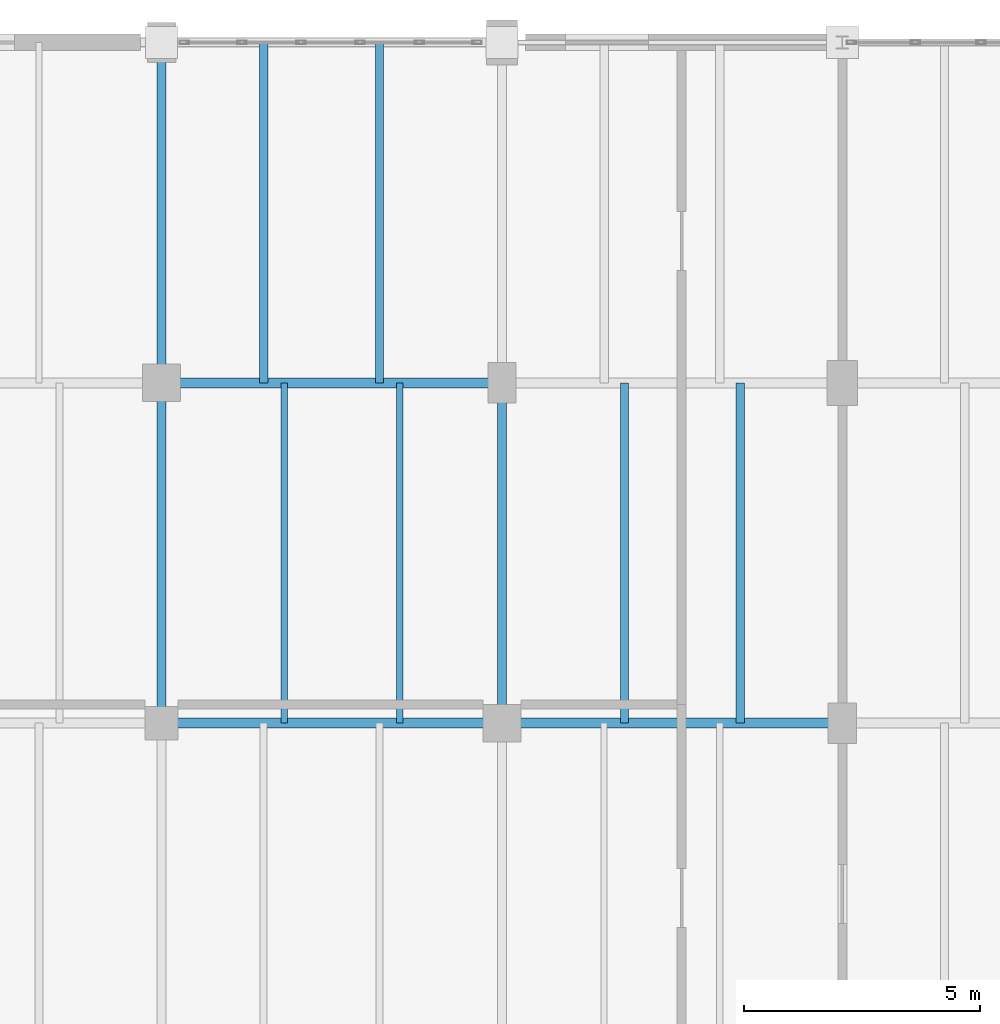
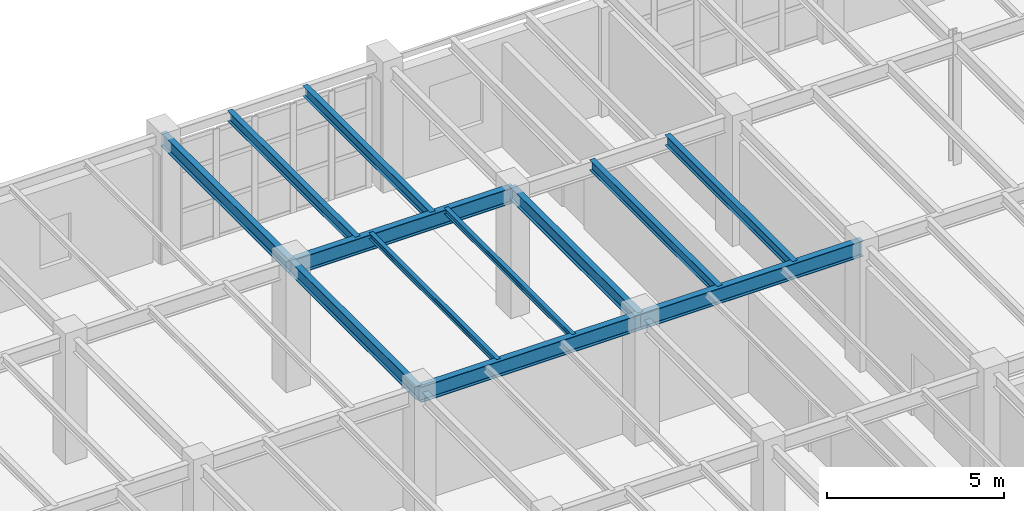
# One storey, part 103 of 137: 12 beams.
"""IFC4 building model written with IfcOpenShell, lengths in metres."""

from ifc_helpers import new_model, si_unit, direction, frame, origin, origin_2d, place, context, subcontext, project, spatial, i_section, extrude, material, material_profile, profile_set, type_object, element, save


model = new_model("IFC4")

# Units and contexts
model_context = context("Model", 3, precision=1e-05, world=origin(), true_north=direction((0.0, 1.0)))
body_context = subcontext(model_context, "Body", "Model", "MODEL_VIEW")
ifc_project = project(units=[si_unit("LENGTHUNIT", "METRE"), si_unit("AREAUNIT", "SQUARE_METRE"), si_unit("VOLUMEUNIT", "CUBIC_METRE"), si_unit("PLANEANGLEUNIT", "RADIAN"), si_unit("MASSUNIT", "GRAM", prefix="KILO")], contexts=[model_context])

# Site, building, storey
site_placement = place(None, origin())
site = spatial("IfcSite", under=ifc_project, at=site_placement, CompositionType="ELEMENT")
building_placement = place(site_placement, origin())
building = spatial("IfcBuilding", under=site, at=building_placement, Name="Kemerveld Promenade Tramway Depot", CompositionType="ELEMENT")
storey_placement = place(building_placement, frame((0.0, 0.0, 5.39990234375)))
storey = spatial("IfcBuildingStorey", under=building, at=storey_placement, Name="L01", CompositionType="ELEMENT", Elevation=5.39990234375)

# Beams
ifc_material = material(Name="Steel S355", Category="steel")
ifc_material_profile_1 = material_profile(ifc_material, i_section(OverallWidth=0.2099609375, OverallDepth=0.53662109375, WebThickness=0.0107421875, FlangeThickness=0.017333984375, FilletRadius=0.0126953125, at=origin_2d()), Name="533x210x101 UB")
ifc_profile_set_1 = profile_set([ifc_material_profile_1], Name="Steel S355")
beam_type_1 = type_object("IfcBeamType", Name="BM-G05", PredefinedType="BEAM", material=ifc_profile_set_1)
for number, where, z_axis, x_axis, name in (
    (1, (129.60009765625, 64.800048828125, 3.9716796875), (1.0, 0.0, 0.0), (0.0, 1.0, 0.0), "BMX-L01-19-20-K"),
    (2, (136.800048828125, 64.800048828125, 3.9716796875), (1.0, 0.0, 0.0), (0.0, 1.0, 0.0), "BMX-L01-20-21-K"),
    (3, (129.60009765625, 72.0, 3.9716796875), (1.0, 0.0, 0.0), (0.0, 1.0, 0.0), "BMX-L01-19-20-L"),
):
    element("IfcBeam", number, at=place(storey_placement, frame(where, z_axis=z_axis, x_axis=x_axis)), inside=storey, type_object=beam_type_1, Name=name, PredefinedType="BEAM", context=body_context, shape_type="SweptSolid", body=[
        extrude(i_section(OverallWidth=0.2099609375, OverallDepth=0.53662109375, WebThickness=0.0107421875, FlangeThickness=0.017333984375, FilletRadius=0.0126953125, at=origin_2d()), origin(), (0.0, 0.0, 1.0), 7.199951171875),
    ])
ifc_material_profile_2 = material_profile(ifc_material, i_section(OverallWidth=0.19140625, OverallDepth=0.4599609375, WebThickness=0.010009765625, FlangeThickness=0.01611328125, FilletRadius=0.01025390625, at=origin_2d()), Name="457x191x82 UB")
ifc_profile_set_2 = profile_set([ifc_material_profile_2], Name="Steel S355")
beam_type_2 = type_object("IfcBeamType", Name="BM-G06", PredefinedType="BEAM", material=ifc_profile_set_2)
for number, where, z_axis, x_axis, name in (
    (4, (129.60009765625, 64.800048828125, 4.010009765625), (0.0, 1.0, 0.0), (-1.0, 0.0, 0.0), "BMY-L01-19-K-L"),
    (5, (129.60009765625, 72.0, 4.010009765625), (0.0, 1.0, 0.0), (-1.0, 0.0, 0.0), "BMY-L01-19-L-M"),
    (6, (136.800048828125, 64.800048828125, 4.010009765625), (0.0, 1.0, 0.0), (-1.0, 0.0, 0.0), "BMY-L01-20-K-L"),
):
    element("IfcBeam", number, at=place(storey_placement, frame(where, z_axis=z_axis, x_axis=x_axis)), inside=storey, type_object=beam_type_2, Name=name, PredefinedType="BEAM", context=body_context, shape_type="SweptSolid", body=[
        extrude(i_section(OverallWidth=0.19140625, OverallDepth=0.4599609375, WebThickness=0.010009765625, FlangeThickness=0.01611328125, FilletRadius=0.01025390625, at=origin_2d()), origin(), (0.0, 0.0, 1.0), 7.199951171875),
    ])
ifc_material_profile_3 = material_profile(ifc_material, i_section(OverallWidth=0.13330078125, OverallDepth=0.203125, WebThickness=0.005615234375, FlangeThickness=0.0078125, FilletRadius=0.007568359375, at=origin_2d()), Name="203x133x25 UB")
ifc_profile_set_3 = profile_set([ifc_material_profile_3], Name="Steel S355")
beam_type_3 = type_object("IfcBeamType", Name="BM-J03", PredefinedType="JOIST", material=ifc_profile_set_3)
for number, where, z_axis, x_axis, name in (
    (7, (132.19189453125, 64.800048828125, 4.138427734375), (0.0, 1.0, 0.0), (-1.0, 0.0, 0.0), "JST-L01-19-K-1"),
    (8, (134.639892578125, 64.800048828125, 4.138427734375), (0.0, 1.0, 0.0), (-1.0, 0.0, 0.0), "JST-L01-19-K-2"),
):
    element("IfcBeam", number, at=place(storey_placement, frame(where, z_axis=z_axis, x_axis=x_axis)), inside=storey, type_object=beam_type_3, Name=name, PredefinedType="JOIST", context=body_context, shape_type="SweptSolid", body=[
        extrude(i_section(OverallWidth=0.13330078125, OverallDepth=0.203125, WebThickness=0.005615234375, FlangeThickness=0.0078125, FilletRadius=0.007568359375, at=origin_2d()), origin(), (0.0, 0.0, 1.0), 7.199951171875),
    ])
ifc_material_profile_4 = material_profile(ifc_material, i_section(OverallWidth=0.172119140625, OverallDepth=0.35791015625, WebThickness=0.008056640625, FlangeThickness=0.012939453125, FilletRadius=0.01025390625, at=origin_2d()), Name="356x171x57 UB")
ifc_profile_set_4 = profile_set([ifc_material_profile_4], Name="Steel S355")
beam_type_4 = type_object("IfcBeamType", Name="BM-J04", PredefinedType="JOIST", material=ifc_profile_set_4)
for number, where, z_axis, x_axis, name in (
    (9, (131.760009765625, 72.0, 4.06103515625), (0.0, 1.0, 0.0), (-1.0, 0.0, 0.0), "JST-L01-19-L-1"),
    (10, (134.2080078125, 72.0, 4.06103515625), (0.0, 1.0, 0.0), (-1.0, 0.0, 0.0), "JST-L01-19-L-2"),
    (11, (139.39208984375, 64.800048828125, 4.06103515625), (0.0, 1.0, 0.0), (-1.0, 0.0, 0.0), "JST-L01-20-K-1"),
    (12, (141.840087890625, 64.800048828125, 4.06103515625), (0.0, 1.0, 0.0), (-1.0, 0.0, 0.0), "JST-L01-20-K-2"),
):
    element("IfcBeam", number, at=place(storey_placement, frame(where, z_axis=z_axis, x_axis=x_axis)), inside=storey, type_object=beam_type_4, Name=name, PredefinedType="JOIST", context=body_context, shape_type="SweptSolid", body=[
        extrude(i_section(OverallWidth=0.172119140625, OverallDepth=0.35791015625, WebThickness=0.008056640625, FlangeThickness=0.012939453125, FilletRadius=0.01025390625, at=origin_2d()), origin(), (0.0, 0.0, 1.0), 7.199951171875),
    ])

save(model, "model.ifc")
